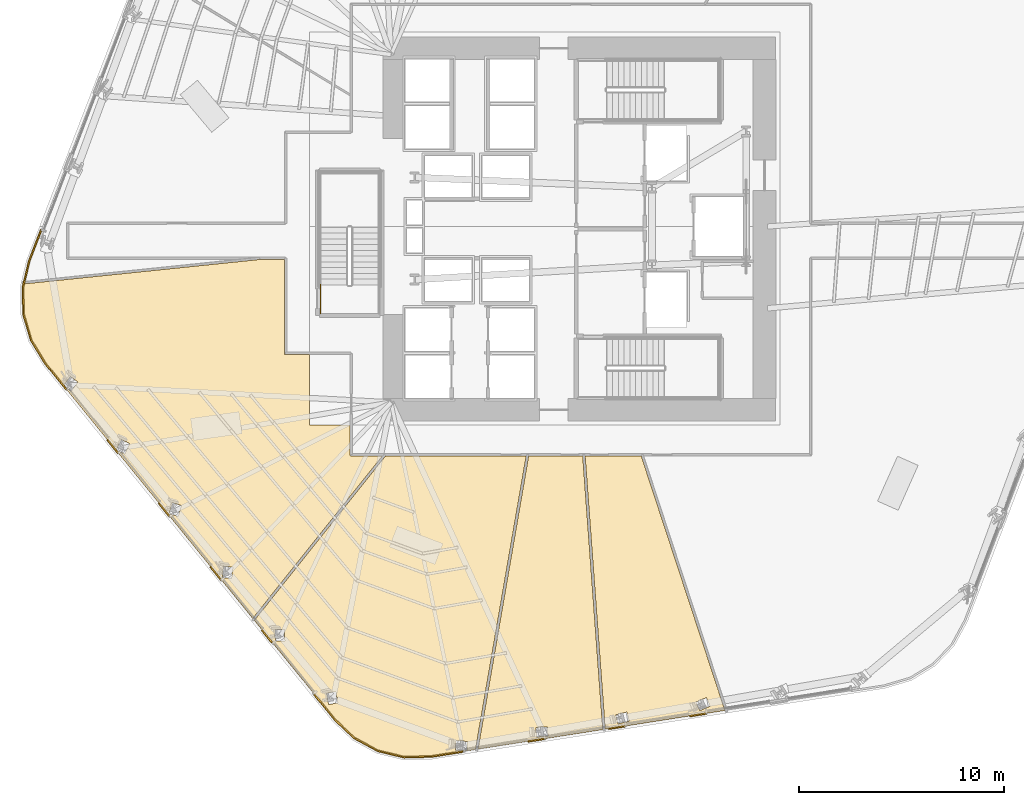
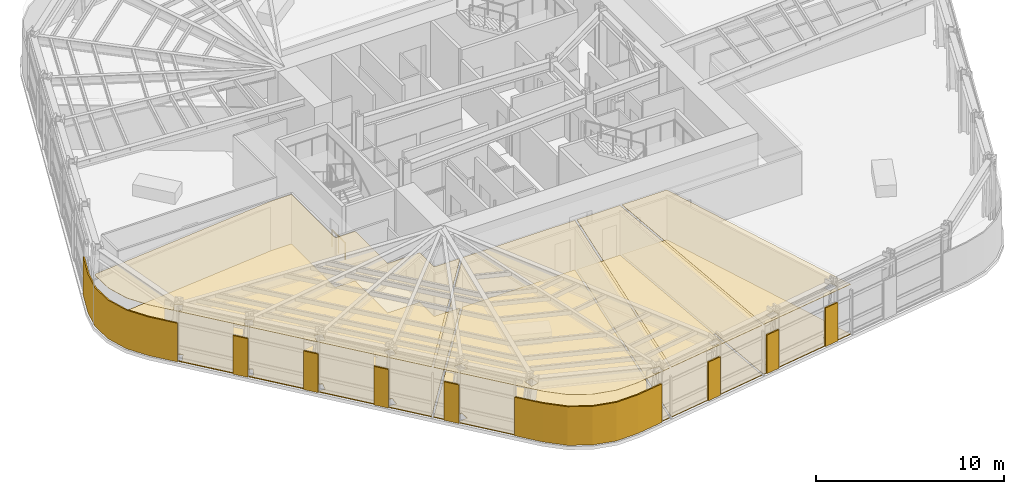
# One storey, part 10 of 16: 17 coverings, 1 railing.
"""IFC4 building model written with IfcOpenShell, lengths in metres."""

from ifc_helpers import new_model, si_unit, direction, frame, origin, origin_2d, place, context, subcontext, project, spatial, polyline, circle, outline, extrude, material, layer, layer_set, type_object, element, save


model = new_model("IFC4")

# Units and contexts
model_context = context("Model", 3, precision=1e-05, world=origin(), true_north=direction((0.0, 1.0)))
body_context = subcontext(model_context, "Body", "Model", "MODEL_VIEW")
ifc_project = project(units=[si_unit("LENGTHUNIT", "METRE"), si_unit("AREAUNIT", "SQUARE_METRE"), si_unit("VOLUMEUNIT", "CUBIC_METRE"), si_unit("PLANEANGLEUNIT", "RADIAN"), si_unit("MASSUNIT", "GRAM", prefix="KILO")], contexts=[model_context])

# Site, building, storey
site_placement = place(None, origin())
site = spatial("IfcSite", under=ifc_project, at=site_placement, CompositionType="ELEMENT")
building_placement = place(site_placement, origin())
building = spatial("IfcBuilding", under=site, at=building_placement, Name="Valkerne Bourse Tower", CompositionType="ELEMENT")
storey_placement = place(building_placement, frame((0.0, 0.0, 62.0)))
storey = spatial("IfcBuildingStorey", under=building, at=storey_placement, Name="L15", CompositionType="ELEMENT", Elevation=62.0)

# Coverings
ifc_material_1 = material(Name="Mineral Fiber Acoustic Ceiling Tile", Category="acoustic")
ifc_layer_1 = layer(ifc_material_1, 0.02490234375)
ifc_layer_set_1 = layer_set([ifc_layer_1], Name="Mineral Fiber Acoustic Ceiling Tile")
covering_type_1 = type_object("IfcCoveringType", Name="COV-CEIL-ACT", PredefinedType="CEILING", material=ifc_layer_set_1)
covering_1_placement = place(storey_placement, frame((0.0, 0.0, 3.22998046875)))
element("IfcCovering", 1, at=covering_1_placement, inside=storey, type_object=covering_type_1, Name="L15 Suspended Ceiling 03", PredefinedType="CEILING", context=body_context, shape_type="SweptSolid", body=[
    extrude(outline(polyline([(49.826416015625, 15.781005859375), (53.915283203125, 3.344482421875), (48.063720703125, 2.428466796875), (47.0830078125, 15.781005859375), (49.826416015625, 15.781005859375)]), holes=[polyline([(48.695556640625, 2.689697265625), (49.233642578125, 2.8212890625), (49.12548828125, 3.265869140625), (49.1220703125, 3.265380859375), (48.583984375, 3.134033203125), (48.692138671875, 2.689453125), (48.695556640625, 2.689697265625)]), polyline([(52.68408203125, 3.33642578125), (53.193115234375, 3.55517578125), (53.012939453125, 3.975830078125), (53.009521484375, 3.97509765625), (52.500732421875, 3.756103515625), (52.6806640625, 3.335693359375), (52.68408203125, 3.33642578125)])]), origin(), (0.0, 0.0, 1.0), 0.02490234375),
])
covering_2_placement = place(storey_placement, frame((0.0, 0.0, 3.22998046875)))
element("IfcCovering", 2, at=covering_2_placement, inside=storey, type_object=covering_type_1, Name="L15 Suspended Ceiling 04", PredefinedType="CEILING", context=body_context, shape_type="SweptSolid", body=[
    extrude(outline(polyline([(46.964599609375, 15.781005859375), (47.946533203125, 2.41015625), (41.84765625, 1.45556640625), (44.322021484375, 15.781005859375), (46.964599609375, 15.781005859375)]), holes=[polyline([(45.231201171875, 2.54931640625), (45.2275390625, 2.549560546875), (44.675537109375, 2.506103515625), (44.710693359375, 2.0498046875), (44.714111328125, 2.0498046875), (45.26611328125, 2.093017578125), (45.231201171875, 2.54931640625)])]), origin(), (0.0, 0.0, 1.0), 0.02490234375),
])
covering_3_placement = place(storey_placement, frame((0.0, 0.0, 3.22998046875)))
element("IfcCovering", 3, at=covering_3_placement, inside=storey, type_object=covering_type_1, Name="L15 Suspended Ceiling 06", PredefinedType="CEILING", context=body_context, shape_type="SweptSolid", body=[
    extrude(outline(polyline([(36.962646484375, 1.372802734375), (35.802978515625, 2.002685546875), (34.8388671875, 2.91748046875), (30.912841796875, 7.747802734375), (37.322998046875, 15.781005859375), (44.202392578125, 15.781005859375), (41.724609375, 1.436279296875), (39.574462890625, 1.099609375), (38.245849609375, 1.064697265625), (36.962646484375, 1.372802734375)]), holes=[polyline([(34.89208984375, 4.264404296875), (34.888671875, 4.26611328125), (34.44140625, 4.177734375), (34.5458984375, 3.63232421875), (34.54931640625, 3.630615234375), (34.99658203125, 3.718994140625), (34.89208984375, 4.264404296875)]), polyline([(32.380859375, 7.306640625), (32.3779296875, 7.308837890625), (31.92236328125, 7.2880859375), (31.94482421875, 6.73291015625), (31.94775390625, 6.730712890625), (32.4033203125, 6.751708984375), (32.380859375, 7.306640625)]), polyline([(41.327392578125, 1.82958984375), (41.32373046875, 1.83056640625), (40.771484375, 1.869873046875), (40.73828125, 1.41357421875), (40.741943359375, 1.41259765625), (41.294189453125, 1.373291015625), (41.327392578125, 1.82958984375)])]), origin(), (0.0, 0.0, 1.0), 0.02490234375),
])
covering_4_placement = place(storey_placement, frame((0.0, 0.0, 3.22998046875)))
element("IfcCovering", 4, at=covering_4_placement, inside=storey, type_object=covering_type_1, Name="L15 Suspended Ceiling 07", PredefinedType="CEILING", context=body_context, shape_type="SweptSolid", body=[
    extrude(outline(polyline([(19.6416015625, 22.698486328125), (19.60693359375, 24.017578125), (19.6494140625, 24.194091796875), (31.123291015625, 25.381103515625), (32.381103515625, 25.381103515625), (32.381103515625, 20.799560546875), (32.3876953125, 20.77001953125), (32.4140625, 20.740966796875), (32.449462890625, 20.73095703125), (33.60009765625, 20.73095703125), (33.60009765625, 17.300048828125), (35.58349609375, 17.300048828125), (35.584716796875, 15.8271484375), (35.609130859375, 15.794189453125), (35.646484375, 15.781005859375), (37.172119140625, 15.781005859375), (30.836669921875, 7.841552734375), (21.61669921875, 19.185546875), (21.97119140625, 18.94677734375), (22.2841796875, 19.405517578125), (22.282958984375, 19.408935546875), (21.90478515625, 19.663818359375), (21.595947265625, 19.2109375), (20.710693359375, 20.30029296875), (20.016357421875, 21.433349609375), (19.6416015625, 22.698486328125)]), holes=[polyline([(29.867919921875, 10.339111328125), (29.865478515625, 10.341796875), (29.412353515625, 10.39453125), (29.34521484375, 9.84326171875), (29.34765625, 9.8408203125), (29.80078125, 9.78759765625), (29.867919921875, 10.339111328125)]), polyline([(27.34912109375, 13.364013671875), (27.34716796875, 13.36669921875), (26.908935546875, 13.493896484375), (26.751708984375, 12.961181640625), (26.753662109375, 12.958251953125), (27.19189453125, 12.8310546875), (27.34912109375, 13.364013671875)]), polyline([(24.81982421875, 16.387939453125), (24.407958984375, 16.58349609375), (24.1669921875, 16.0830078125), (24.168701171875, 16.079833984375), (24.58056640625, 15.88427734375), (24.821533203125, 16.384521484375), (24.81982421875, 16.387939453125)])]), origin(), (0.0, 0.0, 1.0), 0.02490234375),
])
ifc_material_2 = material(Name="Bronze Anodised Aluminium AA 6063-T6", Category="aluminium")
ifc_layer_2 = layer(ifc_material_2, 0.06005859375)
ifc_layer_set_2 = layer_set([ifc_layer_2], Name="Bronze Anodised Aluminium AA 6063-T6")
covering_type_2 = type_object("IfcCoveringType", Name="COV-CRN-ALUM", PredefinedType="CLADDING", material=ifc_layer_set_2)
covering_5_placement = place(storey_placement, origin())
element("IfcCovering", 5, at=covering_5_placement, inside=storey, type_object=covering_type_2, Name="L15 Wind-Shaped Corner Aluminium Cladding 03", PredefinedType="CLADDING", context=body_context, shape_type="SweptSolid", body=[
    extrude(outline(polyline([(52.194091796875, 3.030517578125), (52.181640625, 3.109619140625), (53.011474609375, 3.239501953125), (53.02392578125, 3.160400390625), (52.194091796875, 3.030517578125)])), origin(), (0.0, 0.0, 1.0), 2.5),
])
covering_6_placement = place(storey_placement, origin())
element("IfcCovering", 6, at=covering_6_placement, inside=storey, type_object=covering_type_2, Name="L15 Wind-Shaped Corner Aluminium Cladding 04", PredefinedType="CLADDING", context=body_context, shape_type="SweptSolid", body=[
    extrude(outline(polyline([(48.24609375, 2.41259765625), (48.233642578125, 2.49169921875), (49.0634765625, 2.62158203125), (49.075927734375, 2.54248046875), (48.24609375, 2.41259765625)])), origin(), (0.0, 0.0, 1.0), 2.5),
])
covering_7_placement = place(storey_placement, origin())
element("IfcCovering", 7, at=covering_7_placement, inside=storey, type_object=covering_type_2, Name="L15 Wind-Shaped Corner Aluminium Cladding 05", PredefinedType="CLADDING", context=body_context, shape_type="SweptSolid", body=[
    extrude(outline(polyline([(44.29833984375, 1.794677734375), (44.285888671875, 1.87353515625), (45.115478515625, 2.00341796875), (45.128173828125, 1.924560546875), (44.29833984375, 1.794677734375)])), origin(), (0.0, 0.0, 1.0), 2.5),
])
covering_8_placement = place(storey_placement, origin())
element("IfcCovering", 8, at=covering_8_placement, inside=storey, type_object=covering_type_2, Name="L15 Wind-Shaped Corner Aluminium Cladding 06", PredefinedType="CLADDING", context=body_context, shape_type="SweptSolid", body=[
    extrude(outline(polyline([(39.57861328125, 1.055908203125), (38.2412109375, 1.020751953125), (36.94677734375, 1.33154296875), (35.777099609375, 1.966796875), (34.806396484375, 2.8876953125), (33.7841796875, 4.1455078125), (33.84619140625, 4.19580078125), (34.865234375, 2.942138671875), (35.824462890625, 2.031982421875), (36.9755859375, 1.40673828125), (38.24951171875, 1.10107421875), (39.5712890625, 1.135498046875), (41.167724609375, 1.385498046875), (41.18017578125, 1.306396484375), (39.57861328125, 1.055908203125)])), origin(), (0.0, 0.0, 1.0), 2.5),
])
covering_9_placement = place(storey_placement, origin())
element("IfcCovering", 9, at=covering_9_placement, inside=storey, type_object=covering_type_2, Name="L15 Wind-Shaped Corner Aluminium Cladding 07", PredefinedType="CLADDING", context=body_context, shape_type="SweptSolid", body=[
    extrude(outline(polyline([(31.263671875, 7.24658203125), (31.325927734375, 7.296875), (31.855712890625, 6.64501953125), (31.79345703125, 6.594482421875), (31.263671875, 7.24658203125)])), origin(), (0.0, 0.0, 1.0), 2.5),
])
covering_10_placement = place(storey_placement, origin())
element("IfcCovering", 10, at=covering_10_placement, inside=storey, type_object=covering_type_2, Name="L15 Wind-Shaped Corner Aluminium Cladding 08", PredefinedType="CLADDING", context=body_context, shape_type="SweptSolid", body=[
    extrude(outline(polyline([(28.743408203125, 10.347412109375), (28.805419921875, 10.397705078125), (29.335205078125, 9.745849609375), (29.273193359375, 9.695556640625), (28.743408203125, 10.347412109375)])), origin(), (0.0, 0.0, 1.0), 2.5),
])
covering_11_placement = place(storey_placement, origin())
element("IfcCovering", 11, at=covering_11_placement, inside=storey, type_object=covering_type_2, Name="L15 Wind-Shaped Corner Aluminium Cladding 09", PredefinedType="CLADDING", context=body_context, shape_type="SweptSolid", body=[
    extrude(outline(polyline([(26.222900390625, 13.448486328125), (26.28515625, 13.498779296875), (26.81494140625, 12.846923828125), (26.752685546875, 12.79638671875), (26.222900390625, 13.448486328125)])), origin(), (0.0, 0.0, 1.0), 2.5),
])
covering_12_placement = place(storey_placement, origin())
element("IfcCovering", 12, at=covering_12_placement, inside=storey, type_object=covering_type_2, Name="L15 Wind-Shaped Corner Aluminium Cladding 10", PredefinedType="CLADDING", context=body_context, shape_type="SweptSolid", body=[
    extrude(outline(polyline([(23.70263671875, 16.54931640625), (23.764892578125, 16.599609375), (24.29443359375, 15.947998046875), (24.232421875, 15.8974609375), (23.70263671875, 16.54931640625)])), origin(), (0.0, 0.0, 1.0), 2.5),
])
covering_13_placement = place(storey_placement, origin())
element("IfcCovering", 13, at=covering_13_placement, inside=storey, type_object=covering_type_2, Name="L15 Wind-Shaped Corner Aluminium Cladding 11", PredefinedType="CLADDING", context=body_context, shape_type="SweptSolid", body=[
    extrude(outline(polyline([(20.6748046875, 20.274658203125), (19.9755859375, 21.415283203125), (19.59765625, 22.691650390625), (19.562744140625, 24.022216796875), (19.875, 25.322998046875), (20.46728515625, 26.857421875), (20.5419921875, 26.82861328125), (19.95166015625, 25.299072265625), (19.64306640625, 24.013916015625), (19.677490234375, 22.7041015625), (20.049560546875, 21.447998046875), (20.739990234375, 20.321044921875), (21.774169921875, 19.048583984375), (21.712158203125, 18.998291015625), (20.6748046875, 20.274658203125)])), origin(), (0.0, 0.0, 1.0), 2.5),
])
ifc_material_3 = material(Name="Galvanised Painted Steel", Category="steel")
ifc_layer_3 = layer(ifc_material_3, 0.044921875)
ifc_layer_set_3 = layer_set([ifc_layer_3], Name="Galvanised Painted Steel")
covering_type_3 = type_object("IfcCoveringType", Name="COV-FLR-RAF", PredefinedType="FLOORING", material=ifc_layer_set_3)
covering_14_placement = place(storey_placement, origin())
element("IfcCovering", 14, at=covering_14_placement, inside=storey, type_object=covering_type_3, Name="L15 Floor Finish 06", PredefinedType="FLOORING", context=body_context, shape_type="SweptSolid", body=[
    extrude(outline(polyline([(36.962646484375, 1.372802734375), (35.802978515625, 2.002685546875), (34.8388671875, 2.91748046875), (30.912841796875, 7.747802734375), (37.322998046875, 15.781005859375), (44.202392578125, 15.781005859375), (41.724609375, 1.436279296875), (39.574462890625, 1.099609375), (38.245849609375, 1.064697265625), (36.962646484375, 1.372802734375)]), holes=[polyline([(34.89208984375, 4.264404296875), (34.888671875, 4.26611328125), (34.44140625, 4.177734375), (34.5458984375, 3.63232421875), (34.54931640625, 3.630615234375), (34.99658203125, 3.718994140625), (34.89208984375, 4.264404296875)]), polyline([(32.380859375, 7.306640625), (32.3779296875, 7.308837890625), (31.92236328125, 7.2880859375), (31.94482421875, 6.73291015625), (31.94775390625, 6.730712890625), (32.4033203125, 6.751708984375), (32.380859375, 7.306640625)]), polyline([(41.327392578125, 1.82958984375), (41.32373046875, 1.83056640625), (40.771484375, 1.869873046875), (40.73828125, 1.41357421875), (40.741943359375, 1.41259765625), (41.294189453125, 1.373291015625), (41.327392578125, 1.82958984375)])]), origin(), (0.0, 0.0, 1.0), 0.044921875),
])
covering_15_placement = place(storey_placement, origin())
element("IfcCovering", 15, at=covering_15_placement, inside=storey, type_object=covering_type_3, Name="L15 Floor Finish 07", PredefinedType="FLOORING", context=body_context, shape_type="SweptSolid", body=[
    extrude(outline(polyline([(19.6416015625, 22.698486328125), (19.60693359375, 24.017578125), (19.6494140625, 24.194091796875), (31.123291015625, 25.381103515625), (32.381103515625, 25.381103515625), (32.381103515625, 20.799560546875), (32.3876953125, 20.77001953125), (32.4140625, 20.740966796875), (32.449462890625, 20.73095703125), (33.60009765625, 20.73095703125), (33.60009765625, 17.300048828125), (35.58349609375, 17.300048828125), (35.584716796875, 15.8271484375), (35.609130859375, 15.794189453125), (35.646484375, 15.781005859375), (37.172119140625, 15.781005859375), (30.836669921875, 7.841552734375), (21.61669921875, 19.185546875), (21.97119140625, 18.94677734375), (22.2841796875, 19.405517578125), (22.282958984375, 19.408935546875), (21.90478515625, 19.663818359375), (21.595947265625, 19.2109375), (20.710693359375, 20.30029296875), (20.016357421875, 21.433349609375), (19.6416015625, 22.698486328125)]), holes=[polyline([(29.867919921875, 10.339111328125), (29.865478515625, 10.341796875), (29.412353515625, 10.39453125), (29.34521484375, 9.84326171875), (29.34765625, 9.8408203125), (29.80078125, 9.78759765625), (29.867919921875, 10.339111328125)]), polyline([(27.34912109375, 13.364013671875), (27.34716796875, 13.36669921875), (26.908935546875, 13.493896484375), (26.751708984375, 12.961181640625), (26.753662109375, 12.958251953125), (27.19189453125, 12.8310546875), (27.34912109375, 13.364013671875)]), polyline([(24.81982421875, 16.387939453125), (24.407958984375, 16.58349609375), (24.1669921875, 16.0830078125), (24.168701171875, 16.079833984375), (24.58056640625, 15.88427734375), (24.821533203125, 16.384521484375), (24.81982421875, 16.387939453125)])]), origin(), (0.0, 0.0, 1.0), 0.044921875),
])
ifc_material_4 = material(Name="Polished Granite Stone", Category="masonry")
ifc_layer_4 = layer(ifc_material_4, 0.030029296875)
ifc_layer_set_4 = layer_set([ifc_layer_4], Name="Polished Granite Stone")
covering_type_4 = type_object("IfcCoveringType", Name="COV-FLR-TERRAZZO", PredefinedType="FLOORING", material=ifc_layer_set_4)
covering_16_placement = place(storey_placement, origin())
element("IfcCovering", 16, at=covering_16_placement, inside=storey, type_object=covering_type_4, Name="L15 Floor Finish 03", PredefinedType="FLOORING", context=body_context, shape_type="SweptSolid", body=[
    extrude(outline(polyline([(49.826416015625, 15.781005859375), (53.915283203125, 3.344482421875), (48.063720703125, 2.428466796875), (47.0830078125, 15.781005859375), (49.826416015625, 15.781005859375)]), holes=[polyline([(48.695556640625, 2.689697265625), (49.233642578125, 2.8212890625), (49.12548828125, 3.265869140625), (49.1220703125, 3.265380859375), (48.583984375, 3.134033203125), (48.692138671875, 2.689453125), (48.695556640625, 2.689697265625)]), polyline([(52.68408203125, 3.33642578125), (53.193115234375, 3.55517578125), (53.012939453125, 3.975830078125), (53.009521484375, 3.97509765625), (52.500732421875, 3.756103515625), (52.6806640625, 3.335693359375), (52.68408203125, 3.33642578125)])]), origin(), (0.0, 0.0, 1.0), 0.030029296875),
])
covering_17_placement = place(storey_placement, origin())
element("IfcCovering", 17, at=covering_17_placement, inside=storey, type_object=covering_type_4, Name="L15 Floor Finish 04", PredefinedType="FLOORING", context=body_context, shape_type="SweptSolid", body=[
    extrude(outline(polyline([(46.964599609375, 15.781005859375), (47.946533203125, 2.41015625), (41.84765625, 1.45556640625), (44.322021484375, 15.781005859375), (46.964599609375, 15.781005859375)]), holes=[polyline([(45.231201171875, 2.54931640625), (45.2275390625, 2.549560546875), (44.675537109375, 2.506103515625), (44.710693359375, 2.0498046875), (44.714111328125, 2.0498046875), (45.26611328125, 2.093017578125), (45.231201171875, 2.54931640625)])]), origin(), (0.0, 0.0, 1.0), 0.030029296875),
])

# Railing
railing_type = type_object("IfcRailingType", Name="RLG-ST-GUARD-1120", PredefinedType="GUARDRAIL", material=ifc_material_3)
railing_placement = place(storey_placement, frame((34.14990234375, 22.75, 0.0)))
element("IfcRailing", 18, at=railing_placement, inside=storey, type_object=railing_type, Name="L15 ST-3 stair guard 9", PredefinedType="GUARDRAIL", context=body_context, shape_type="SweptSolid", body=[
    extrude(circle(Radius=0.02392578125, at=origin_2d()), frame((0.0, 0.0, 1.09619140625), z_axis=(0.0, 1.0, 0.0), x_axis=(-1.0, 0.0, 0.0)), (0.0, 0.0, 1.0), 1.39990234375),
    extrude(circle(Radius=0.02099609375, at=origin_2d()), origin(), (0.0, 0.0, 1.0), 1.072021484375),
    extrude(circle(Radius=0.02099609375, at=origin_2d()), frame((0.0, 0.699951171875, 0.0)), (0.0, 0.0, 1.0), 1.072021484375),
    extrude(circle(Radius=0.02099609375, at=origin_2d()), frame((0.0, 1.39990234375, 0.0)), (0.0, 0.0, 1.0), 1.072021484375),
])

save(model, "model.ifc")
